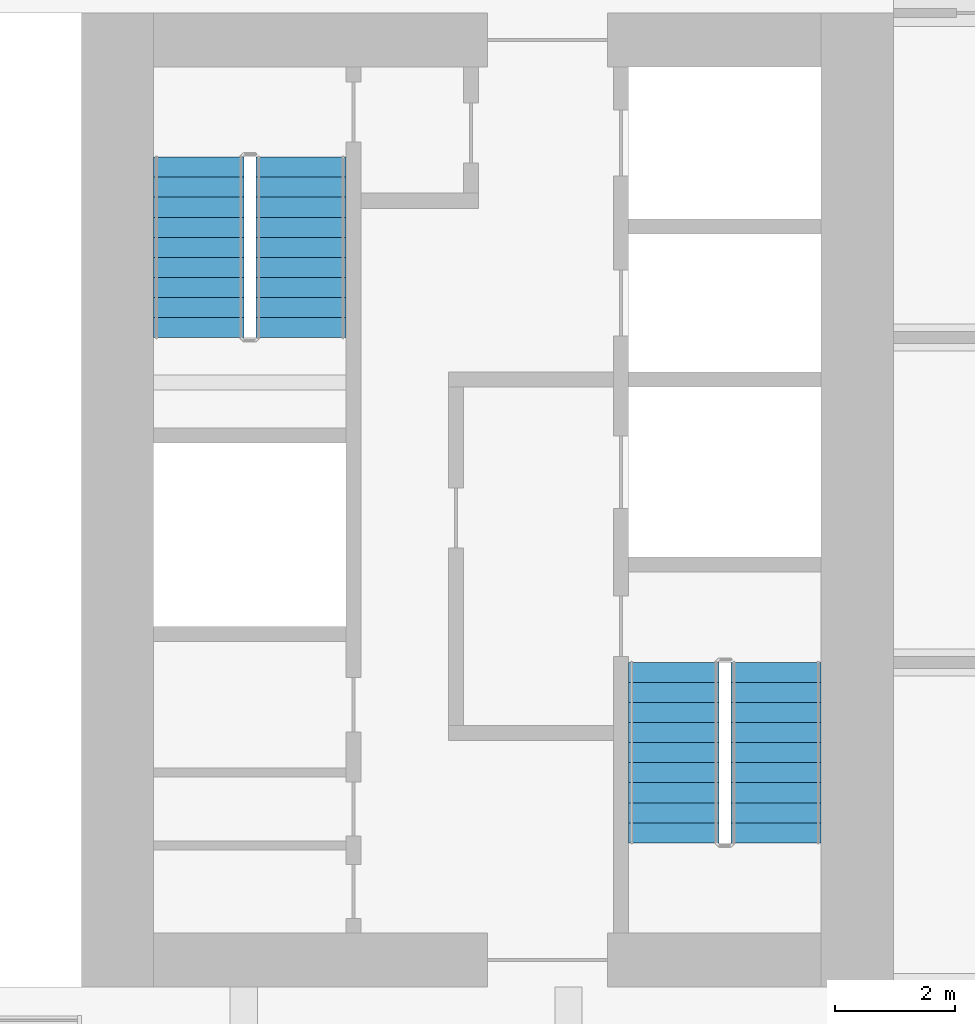
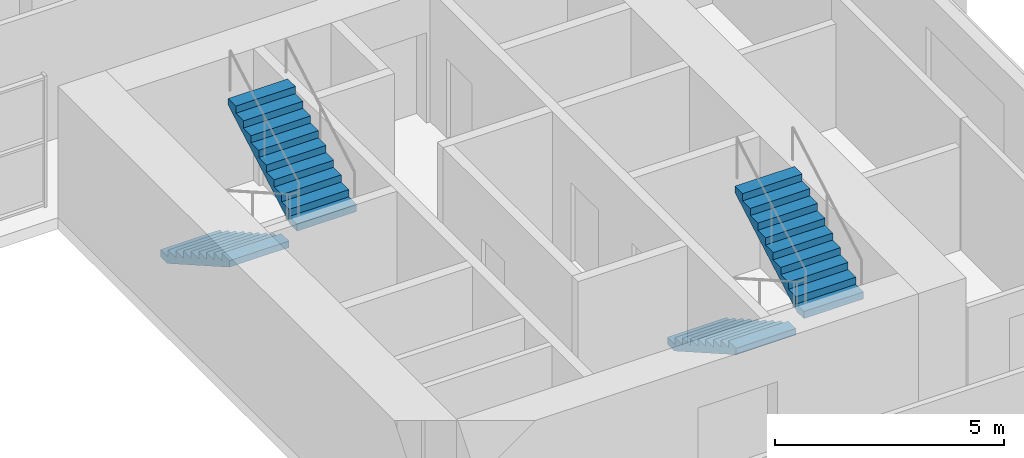
# One storey, part 12 of 14: 4 stair flights, 2 elements without a shape of their own.
"""IFC4 building model written with IfcOpenShell, lengths in metres."""

from ifc_helpers import new_model, si_unit, direction, frame, origin, place, context, subcontext, project, spatial, polyline, outline, extrude, material, type_object, element, aggregate, save


model = new_model("IFC4")

# Units and contexts
model_context = context("Model", 3, precision=1e-05, world=origin(), true_north=direction((0.0, 1.0)))
body_context = subcontext(model_context, "Body", "Model", "MODEL_VIEW")
ifc_project = project(units=[si_unit("LENGTHUNIT", "METRE"), si_unit("AREAUNIT", "SQUARE_METRE"), si_unit("VOLUMEUNIT", "CUBIC_METRE"), si_unit("PLANEANGLEUNIT", "RADIAN"), si_unit("MASSUNIT", "GRAM", prefix="KILO")], contexts=[model_context])

# Site, building, storey
site_placement = place(None, origin())
site = spatial("IfcSite", under=ifc_project, at=site_placement, CompositionType="ELEMENT")
building_placement = place(site_placement, origin())
building = spatial("IfcBuilding", under=site, at=building_placement, Name="Tabaq Tower and Sports Hall", CompositionType="ELEMENT")
storey_placement = place(building_placement, frame((0.0, 0.0, 52.60009765625)))
storey = spatial("IfcBuildingStorey", under=building, at=storey_placement, Name="L11", CompositionType="ELEMENT", Elevation=52.60009765625)

# Stair, stair flights
ifc_material_1 = material(Name="Concrete C40/50", Category="concrete")
stair_type = type_object("IfcStairType", Name="Exit stair", PredefinedType="HALF_TURN_STAIR", material=ifc_material_1)
stair_1_placement = place(storey_placement, origin())
stair_1 = element("IfcStair", 1, at=stair_1_placement, inside=storey, type_object=stair_type, Name="L11 Exit stair ST3", PredefinedType="HALF_TURN_STAIR")
ifc_material_2 = material(Name="Concrete C40/50", Category="concrete")
stair_flight_type = type_object("IfcStairFlightType", Name="Exit stair flight", PredefinedType="STRAIGHT", material=ifc_material_2)
stair_flight_1_placement = place(storey_placement, frame((39.550048828125, 21.60009765625, 0.0), z_axis=(0.0, 0.0, 1.0), x_axis=(0.0, -1.0, 0.0)))
stair_flight_1 = element("IfcStairFlight", 2, at=stair_flight_1_placement, type_object=stair_flight_type, Name="ST3 flight 1", NumberOfRisers=10, NumberOfTreads=9, PredefinedType="STRAIGHT", RiserHeight=0.19, TreadLength=0.333333333, context=body_context, shape_type="SweptSolid", body=[
    extrude(outline(polyline([(0.0, 0.0), (0.0, 0.18994140625), (0.333251953125, 0.18994140625), (0.333251953125, 0.3798828125), (0.666748046875, 0.3798828125), (0.666748046875, 0.570068359375), (1.0, 0.570068359375), (1.0, 0.760009765625), (1.333251953125, 0.760009765625), (1.333251953125, 0.949951171875), (1.666748046875, 0.949951171875), (1.666748046875, 1.139892578125), (2.0, 1.139892578125), (2.0, 1.330078125), (2.333251953125, 1.330078125), (2.333251953125, 1.52001953125), (2.666748046875, 1.52001953125), (2.666748046875, 1.7099609375), (3.0, 1.7099609375), (3.0, 1.89990234375), (3.0, 1.537353515625), (0.302734375, 0.0), (0.0, 0.0)])), frame((0.0, 0.75, 0.0), z_axis=(0.0, -1.0, 0.0), x_axis=(1.0, 0.0, 0.0)), (0.0, 0.0, 1.0), 1.5),
])
stair_flight_2_placement = place(storey_placement, frame((41.25, 18.60009765625, 1.89990234375), z_axis=(0.0, 0.0, 1.0), x_axis=(0.0, 1.0, 0.0)))
stair_flight_2 = element("IfcStairFlight", 3, at=stair_flight_2_placement, type_object=stair_flight_type, Name="ST3 flight 2", NumberOfRisers=10, NumberOfTreads=9, PredefinedType="STRAIGHT", RiserHeight=0.19, TreadLength=0.333333333, context=body_context, shape_type="SweptSolid", body=[
    extrude(outline(polyline([(0.0, 0.0), (0.0, 0.18994140625), (0.333251953125, 0.18994140625), (0.333251953125, 0.3798828125), (0.666748046875, 0.3798828125), (0.666748046875, 0.570068359375), (1.0, 0.570068359375), (1.0, 0.760009765625), (1.333251953125, 0.760009765625), (1.333251953125, 0.949951171875), (1.666748046875, 0.949951171875), (1.666748046875, 1.139892578125), (2.0, 1.139892578125), (2.0, 1.330078125), (2.333251953125, 1.330078125), (2.333251953125, 1.52001953125), (2.666748046875, 1.52001953125), (2.666748046875, 1.7099609375), (3.0, 1.7099609375), (3.0, 1.89990234375), (3.0, 1.537353515625), (0.302734375, 0.0), (0.0, 0.0)])), frame((0.0, 0.75, 0.0), z_axis=(0.0, -1.0, 0.0), x_axis=(1.0, 0.0, 0.0)), (0.0, 0.0, 1.0), 1.5),
])
aggregate(stair_1, [stair_flight_1, stair_flight_2])

stair_2_placement = place(storey_placement, origin())
stair_2 = element("IfcStair", 4, at=stair_2_placement, inside=storey, type_object=stair_type, Name="L11 Exit stair ST4", PredefinedType="HALF_TURN_STAIR")
stair_flight_3_placement = place(storey_placement, frame((31.64990234375, 30.0, 0.0), z_axis=(0.0, 0.0, 1.0), x_axis=(0.0, -1.0, 0.0)))
stair_flight_3 = element("IfcStairFlight", 5, at=stair_flight_3_placement, type_object=stair_flight_type, Name="ST4 flight 1", NumberOfRisers=10, NumberOfTreads=9, PredefinedType="STRAIGHT", RiserHeight=0.19, TreadLength=0.333333333, context=body_context, shape_type="SweptSolid", body=[
    extrude(outline(polyline([(0.0, 0.0), (0.0, 0.18994140625), (0.333251953125, 0.18994140625), (0.333251953125, 0.3798828125), (0.666748046875, 0.3798828125), (0.666748046875, 0.570068359375), (1.0, 0.570068359375), (1.0, 0.760009765625), (1.333251953125, 0.760009765625), (1.333251953125, 0.949951171875), (1.666748046875, 0.949951171875), (1.666748046875, 1.139892578125), (2.0, 1.139892578125), (2.0, 1.330078125), (2.333251953125, 1.330078125), (2.333251953125, 1.52001953125), (2.666748046875, 1.52001953125), (2.666748046875, 1.7099609375), (3.0, 1.7099609375), (3.0, 1.89990234375), (3.0, 1.537353515625), (0.302734375, 0.0), (0.0, 0.0)])), frame((0.0, 0.75, 0.0), z_axis=(0.0, -1.0, 0.0), x_axis=(1.0, 0.0, 0.0)), (0.0, 0.0, 1.0), 1.5),
])
stair_flight_4_placement = place(storey_placement, frame((33.35009765625, 27.0, 1.89990234375), z_axis=(0.0, 0.0, 1.0), x_axis=(0.0, 1.0, 0.0)))
stair_flight_4 = element("IfcStairFlight", 6, at=stair_flight_4_placement, type_object=stair_flight_type, Name="ST4 flight 2", NumberOfRisers=10, NumberOfTreads=9, PredefinedType="STRAIGHT", RiserHeight=0.19, TreadLength=0.333333333, context=body_context, shape_type="SweptSolid", body=[
    extrude(outline(polyline([(0.0, 0.0), (0.0, 0.18994140625), (0.333251953125, 0.18994140625), (0.333251953125, 0.3798828125), (0.666748046875, 0.3798828125), (0.666748046875, 0.570068359375), (1.0, 0.570068359375), (1.0, 0.760009765625), (1.333251953125, 0.760009765625), (1.333251953125, 0.949951171875), (1.666748046875, 0.949951171875), (1.666748046875, 1.139892578125), (2.0, 1.139892578125), (2.0, 1.330078125), (2.333251953125, 1.330078125), (2.333251953125, 1.52001953125), (2.666748046875, 1.52001953125), (2.666748046875, 1.7099609375), (3.0, 1.7099609375), (3.0, 1.89990234375), (3.0, 1.537353515625), (0.302734375, 0.0), (0.0, 0.0)])), frame((0.0, 0.75, 0.0), z_axis=(0.0, -1.0, 0.0), x_axis=(1.0, 0.0, 0.0)), (0.0, 0.0, 1.0), 1.5),
])
aggregate(stair_2, [stair_flight_3, stair_flight_4])

save(model, "model.ifc")
